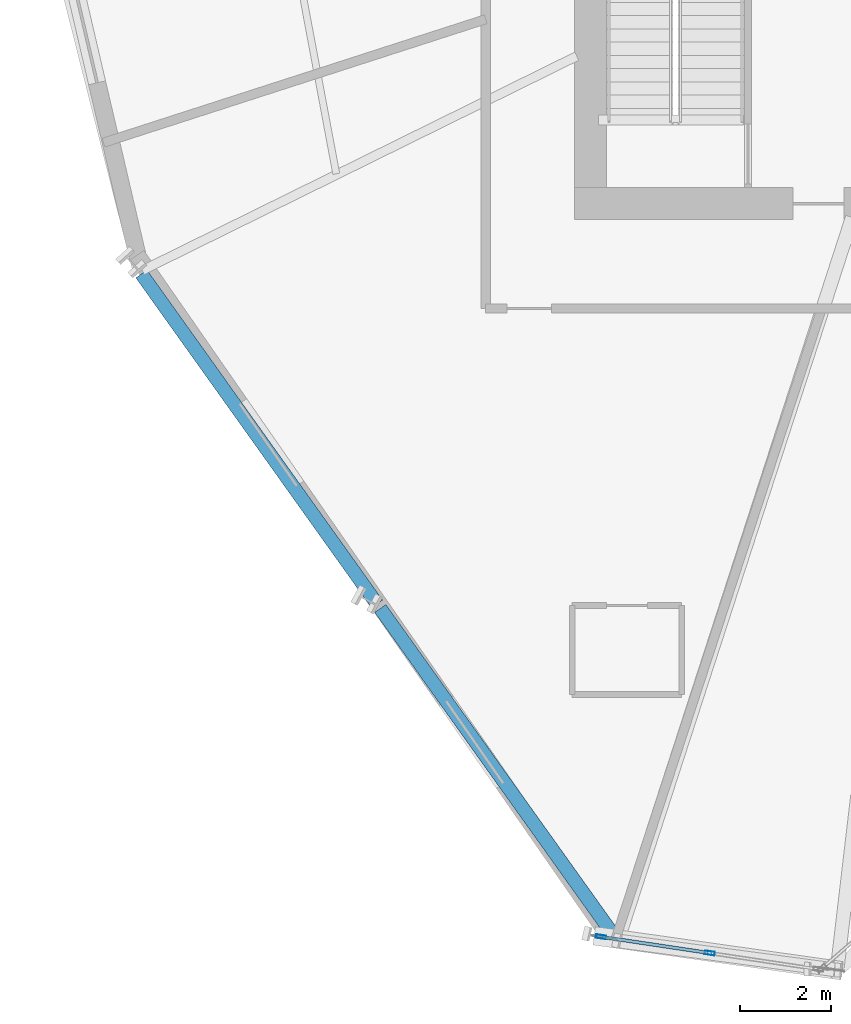
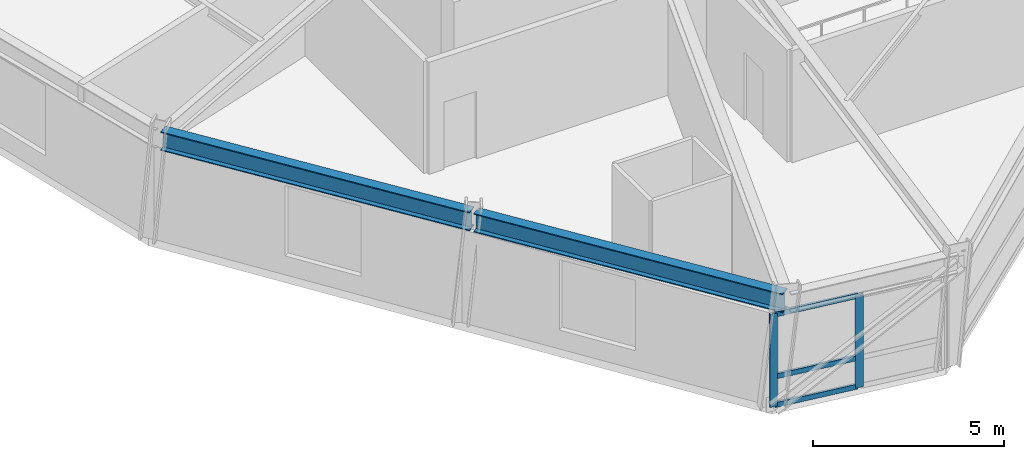
# One storey, part 2 of 16: 5 members, 2 beams, 1 element without a shape of its own.
"""IFC4 building model written with IfcOpenShell, lengths in metres."""

from ifc_helpers import new_model, si_unit, direction, frame, origin, origin_2d, place, context, subcontext, project, spatial, hollow_rectangle, i_section, extrude, source, transform, mapped, material, material_profile, profile_set, type_object, element, aggregate, save


model = new_model("IFC4")

# Units and contexts
model_context = context("Model", 3, precision=1e-05, world=origin(), true_north=direction((0.0, 1.0)))
body_context = subcontext(model_context, "Body", "Model", "MODEL_VIEW")
ifc_project = project(units=[si_unit("LENGTHUNIT", "METRE"), si_unit("AREAUNIT", "SQUARE_METRE"), si_unit("VOLUMEUNIT", "CUBIC_METRE"), si_unit("PLANEANGLEUNIT", "RADIAN"), si_unit("MASSUNIT", "GRAM", prefix="KILO")], contexts=[model_context])

# Site, building, storey
site_placement = place(None, origin())
site = spatial("IfcSite", under=ifc_project, at=site_placement, CompositionType="ELEMENT")
building_placement = place(site_placement, origin())
building = spatial("IfcBuilding", under=site, at=building_placement, Name="Olszyna Solenne Hotel", CompositionType="ELEMENT")
storey_placement = place(building_placement, frame((0.0, 0.0, 138.10009765625)))
storey = spatial("IfcBuildingStorey", under=building, at=storey_placement, Name="L36", CompositionType="ELEMENT", Elevation=138.10009765625)

# Beams
ifc_material_1 = material(Name="Steel S355J2", Category="steel")
ifc_material_profile_1 = material_profile(ifc_material_1, i_section(OverallWidth=0.300048828125, OverallDepth=0.60009765625, WebThickness=0.015380859375, FlangeThickness=0.030029296875, at=origin_2d()), Name="HEB 600", Category="load-bearing")
ifc_profile_set_1 = profile_set([ifc_material_profile_1], Name="Steel S355J2")
beam_type = type_object("IfcBeamType", Name="BM-S2", PredefinedType="BEAM", material=ifc_profile_set_1)
shared_shape_1 = source(origin(), body_context, "Body", "SweptSolid", [
    extrude(i_section(OverallWidth=0.300048828125, OverallDepth=0.60009765625, WebThickness=0.015380859375, FlangeThickness=0.030029296875, at=origin_2d()), origin(), (0.0, 0.0, 1.0), 8.89111328125),
])
beam_1_placement = place(storey_placement, frame((19.90283203125, 17.611083984375, 3.27978515625), z_axis=(0.581030377668, -0.813881871175, 0.0), x_axis=(0.813881871175, 0.581030377668, 0.0)))
element("IfcBeam", 1, at=beam_1_placement, inside=storey, type_object=beam_type, Name="Perimeter spandrel beam BM-S2 B-L36-1075", PredefinedType="BEAM", context=body_context, shape_type="MappedRepresentation", body=[
    mapped(shared_shape_1, transform((0.0, 0.0, 0.0), x_axis=(1.0, 0.0, 0.0), y_axis=(0.0, 1.0, 0.0), z_axis=(0.0, 0.0, 1.0), scale=1.0)),
])
shared_shape_2 = source(origin(), body_context, "Body", "SweptSolid", [
    extrude(i_section(OverallWidth=0.300048828125, OverallDepth=0.60009765625, WebThickness=0.015380859375, FlangeThickness=0.030029296875, at=origin_2d()), origin(), (0.0, 0.0, 1.0), 8.891357421875),
])
beam_2_placement = place(storey_placement, frame((25.138671875, 10.277099609375, 3.27978515625), z_axis=(0.581017392841, -0.813891140888, 0.0), x_axis=(0.813891140888, 0.581017392841, 0.0)))
element("IfcBeam", 2, at=beam_2_placement, inside=storey, type_object=beam_type, Name="Perimeter spandrel beam BM-S2 B-L36-1076", PredefinedType="BEAM", context=body_context, shape_type="MappedRepresentation", body=[
    mapped(shared_shape_2, transform((0.0, 0.0, 0.0), x_axis=(1.0, 0.0, 0.0), y_axis=(0.0, 1.0, 0.0), z_axis=(0.0, 0.0, 1.0), scale=1.0)),
])

# Curtain wall, members
ifc_material_2 = material(Name="Anodised bronze aluminium", Category="aluminium")
curtain_wall_type = type_object("IfcCurtainWallType", Name="CW-SYS-6", PredefinedType="NOTDEFINED", material=ifc_material_2)
curtain_wall_placement = place(storey_placement, origin())
curtain_wall = element("IfcCurtainWall", 3, at=curtain_wall_placement, inside=storey, type_object=curtain_wall_type, Name="Unitised curtain wall CW-SYS-6 CW-L36-02", PredefinedType="NOTDEFINED")
ifc_material_profile_2 = material_profile(ifc_material_2, hollow_rectangle(XDim=0.080078125, YDim=0.219970703125, WallThickness=0.0048828125, at=origin_2d()), Name="MULL 220x80x5", Category="load-bearing")
ifc_profile_set_2 = profile_set([ifc_material_profile_2], Name="Anodised bronze aluminium")
member_type_1 = type_object("IfcMemberType", Name="CW-M1", PredefinedType="MULLION", material=ifc_profile_set_2)
shared_shape_3 = source(origin(), body_context, "Body", "SweptSolid", [
    extrude(hollow_rectangle(XDim=0.080078125, YDim=0.219970703125, WallThickness=0.0048828125, at=origin_2d()), origin(), (0.0, 0.0, 1.0), 2.971923828125),
])
member_1_placement = place(storey_placement, frame((29.973876953125, 3.08056640625, 0.0), z_axis=(0.0, 0.0, 1.0), x_axis=(0.14779507965, 0.98901800511, 0.0)))
member_1 = element("IfcMember", 4, at=member_1_placement, type_object=member_type_1, Name="Curtain-wall mullion CW-M1 CM-L36-02-01", PredefinedType="MULLION", context=body_context, shape_type="MappedRepresentation", body=[
    mapped(shared_shape_3, transform((0.0, 0.0, 0.0), x_axis=(1.0, 0.0, 0.0), y_axis=(0.0, 1.0, 0.0), z_axis=(0.0, 0.0, 1.0), scale=1.0)),
])
member_2_placement = place(storey_placement, frame((32.35986328125, 2.72412109375, 0.0), z_axis=(0.0, 0.0, 1.0), x_axis=(0.14779507965, 0.98901800511, 0.0)))
member_2 = element("IfcMember", 5, at=member_2_placement, type_object=member_type_1, Name="Curtain-wall mullion CW-M1 CM-L36-02-02", PredefinedType="MULLION", context=body_context, shape_type="MappedRepresentation", body=[
    mapped(shared_shape_3, transform((0.0, 0.0, 0.0), x_axis=(1.0, 0.0, 0.0), y_axis=(0.0, 1.0, 0.0), z_axis=(0.0, 0.0, 1.0), scale=1.0)),
])
ifc_material_profile_3 = material_profile(ifc_material_2, hollow_rectangle(XDim=0.074951171875, YDim=0.159912109375, WallThickness=0.00390625, at=origin_2d()), Name="TRAN 160x75x4", Category="load-bearing")
ifc_profile_set_3 = profile_set([ifc_material_profile_3], Name="Anodised bronze aluminium")
member_type_2 = type_object("IfcMemberType", Name="CW-T1", PredefinedType="USERDEFINED", material=ifc_profile_set_3)
shared_shape_4 = source(origin(), body_context, "Body", "SweptSolid", [
    extrude(hollow_rectangle(XDim=0.074951171875, YDim=0.159912109375, WallThickness=0.00390625, at=origin_2d()), origin(), (0.0, 0.0, 1.0), 2.332275390625),
])
member_3_placement = place(storey_placement, frame((30.013427734375, 3.07470703125, 0.037353515625), z_axis=(0.989016063226, -0.147808073801, 0.0), x_axis=(0.147808073801, 0.989016063226, 0.0)))
member_3 = element("IfcMember", 6, at=member_3_placement, type_object=member_type_2, Name="Curtain-wall transom CW-T1 CT-L36-02-01", ObjectType="TRANSOM", PredefinedType="USERDEFINED", context=body_context, shape_type="MappedRepresentation", body=[
    mapped(shared_shape_4, transform((0.0, 0.0, 0.0), x_axis=(1.0, 0.0, 0.0), y_axis=(0.0, 1.0, 0.0), z_axis=(0.0, 0.0, 1.0), scale=1.0)),
])
member_4_placement = place(storey_placement, frame((30.013427734375, 3.07470703125, 0.949951171875), z_axis=(0.989016063226, -0.147808073801, 0.0), x_axis=(0.147808073801, 0.989016063226, 0.0)))
member_4 = element("IfcMember", 7, at=member_4_placement, type_object=member_type_2, Name="Curtain-wall transom CW-T1 CT-L36-02-02", ObjectType="TRANSOM", PredefinedType="USERDEFINED", context=body_context, shape_type="MappedRepresentation", body=[
    mapped(shared_shape_4, transform((0.0, 0.0, 0.0), x_axis=(1.0, 0.0, 0.0), y_axis=(0.0, 1.0, 0.0), z_axis=(0.0, 0.0, 1.0), scale=1.0)),
])
member_5_placement = place(storey_placement, frame((30.013427734375, 3.07470703125, 2.934326171875), z_axis=(0.989016063226, -0.147808073801, 0.0), x_axis=(0.147808073801, 0.989016063226, 0.0)))
member_5 = element("IfcMember", 8, at=member_5_placement, type_object=member_type_2, Name="Curtain-wall transom CW-T1 CT-L36-02-03", ObjectType="TRANSOM", PredefinedType="USERDEFINED", context=body_context, shape_type="MappedRepresentation", body=[
    mapped(shared_shape_4, transform((0.0, 0.0, 0.0), x_axis=(1.0, 0.0, 0.0), y_axis=(0.0, 1.0, 0.0), z_axis=(0.0, 0.0, 1.0), scale=1.0)),
])
aggregate(curtain_wall, [member_1, member_2, member_3, member_4, member_5])

save(model, "model.ifc")
